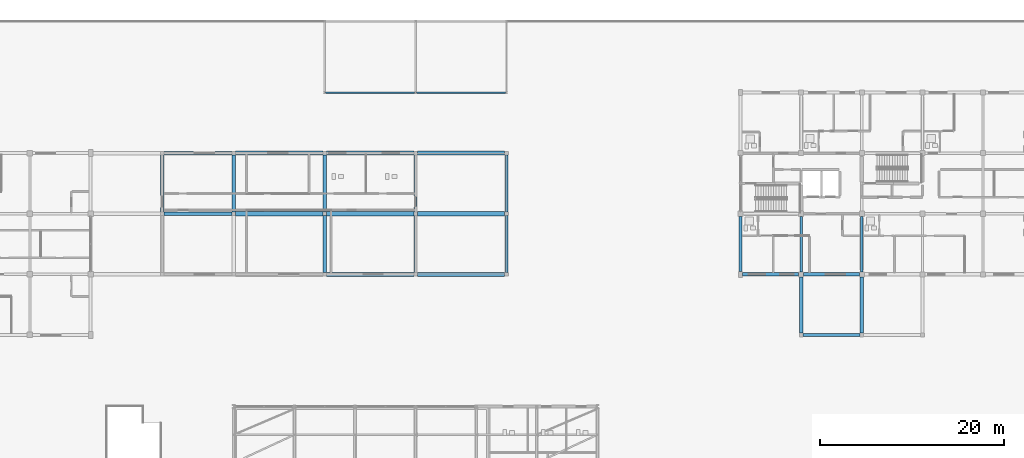
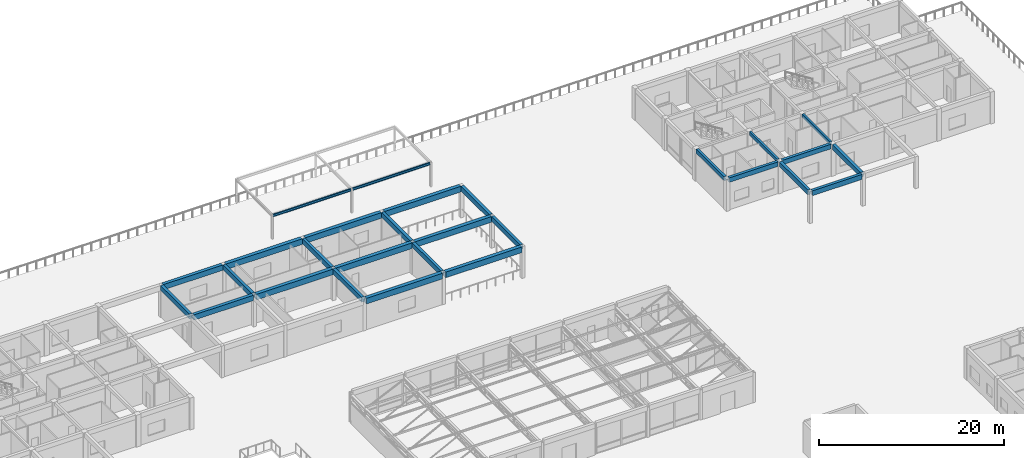
# One storey, part 40 of 92: 28 beams.
"""IFC4 building model written with IfcOpenShell, lengths in metres."""

import ifcopenshell
import ifcopenshell.guid

model = None  # the IFC model being written
_history = None  # IfcOwnerHistory: only IFC2X3 demands one
_inside = {}  # id of a spatial element -> (the spatial element, [elements in it])
_under = {}  # id of a project, library or spatial element -> (it, [spatial elements below it])
_declared = {}  # id of a project -> (the project, [libraries it declares])
_typed = {}  # id of a type object -> (the type object, [elements of that type])
_made_of = {}  # id of a material, layer set ... -> (it, [elements and type objects made of it])


def new_model(schema):
    """Start an empty IFC model of exactly this schema.

    Asked for "IFC4X3", IfcOpenShell would pick the latest addendum, in which some entities
    have other attributes; the version numbers below select the first issue.
    IFC2X3 requires an IfcOwnerHistory on every rooted entity: one is made here for all.
    """
    global model, _history
    if schema == "IFC4X3":
        model = ifcopenshell.file(schema_version=(4, 3, 0, 0))
    else:
        model = ifcopenshell.file(schema=schema)
    _inside.clear()
    _under.clear()
    _declared.clear()
    _typed.clear()
    _made_of.clear()
    _history = None
    if model.schema == "IFC2X3":
        org = make("IfcOrganization", Name="unknown")
        user = make(
            "IfcPersonAndOrganization",
            ThePerson=make("IfcPerson", FamilyName="unknown"),
            TheOrganization=org,
        )
        app = make(
            "IfcApplication",
            ApplicationDeveloper=org,
            Version="unknown",
            ApplicationFullName="unknown",
            ApplicationIdentifier="unknown",
        )
        _history = make(
            "IfcOwnerHistory",
            OwningUser=user,
            OwningApplication=app,
            ChangeAction="ADDED",
            CreationDate=0,
        )
    return model


def make(cls, **values):
    """One entity of the class cls with the attributes given. An attribute that is None is left unset."""
    return model.create_entity(
        cls, **{name: value for name, value in values.items() if value is not None}
    )


def rooted(cls, **values):
    """An entity with a GlobalId (a new one), such as an element, a storey or a relation."""
    return make(cls, GlobalId=ifcopenshell.guid.new(), OwnerHistory=_history, **values)


def si_unit(unit_type, name, prefix=None):
    """IfcSIUnit, for example si_unit("LENGTHUNIT", "METRE", prefix="MILLI")."""
    return make("IfcSIUnit", UnitType=unit_type, Prefix=prefix, Name=name)


def assignment(units):
    """IfcUnitAssignment: the units of a project."""
    return None if units is None else make("IfcUnitAssignment", Units=units)


def point(xyz):
    """IfcCartesianPoint."""
    return None if xyz is None else make("IfcCartesianPoint", Coordinates=xyz)


def direction(xyz):
    """IfcDirection."""
    return None if xyz is None else make("IfcDirection", DirectionRatios=xyz)


def frame(location, z_axis=None, x_axis=None):
    """IfcAxis2Placement3D, a coordinate frame: its origin and axes. An axis left out is left unset."""
    return make(
        "IfcAxis2Placement3D",
        Location=point(location),
        Axis=direction(z_axis),
        RefDirection=direction(x_axis),
    )


def frame_2d(location, x_axis=None):
    """IfcAxis2Placement2D, a coordinate frame in the plane: its origin and x axis."""
    return make(
        "IfcAxis2Placement2D", Location=point(location), RefDirection=direction(x_axis)
    )


def origin():
    """The frame at (0, 0, 0) with its axes left unset."""
    return frame((0.0, 0.0, 0.0))


def origin_2d():
    """The frame at (0, 0) in the plane with its x axis left unset."""
    return frame_2d((0.0, 0.0))


def place(relative_to, where):
    """IfcLocalPlacement: puts the frame where relative to a parent placement (None: the world)."""
    return make(
        "IfcLocalPlacement", PlacementRelTo=relative_to, RelativePlacement=where
    )


def context(
    kind, dimensions, precision=None, world=None, true_north=None, identifier=None
):
    """IfcGeometricRepresentationContext, for example the 3D "Model" context."""
    return make(
        "IfcGeometricRepresentationContext",
        ContextIdentifier=identifier,
        ContextType=kind,
        CoordinateSpaceDimension=dimensions,
        Precision=precision,
        WorldCoordinateSystem=world,
        TrueNorth=true_north,
    )


def subcontext(parent, identifier, kind, view, scale=None):
    """IfcGeometricRepresentationSubContext, for example "Body" below "Model"."""
    return make(
        "IfcGeometricRepresentationSubContext",
        ContextIdentifier=identifier,
        ContextType=kind,
        ParentContext=parent,
        TargetScale=scale,
        TargetView=view,
    )


def project(units=None, contexts=None):
    """IfcProject with its units and contexts."""
    return rooted(
        "IfcProject",
        Name="project",
        RepresentationContexts=contexts,
        UnitsInContext=assignment(units),
    )


def spatial(cls, under=None, at=None, **own):
    """A site, building, storey or space (cls), placed at a placement, below another one or the project."""
    s = rooted(cls, ObjectPlacement=at, **own)
    if under is not None:
        _under.setdefault(under.id(), (under, []))[1].append(s)
    return s


def profile(cls, at=None, kind="AREA", **sizes):
    """A parametric profile (cls). Its sizes go by their IFC names, for example OverallWidth=200.0."""
    return make(cls, ProfileType=kind, Position=at, **sizes)


def rectangle(**sizes):
    """IfcRectangleProfileDef."""
    return profile("IfcRectangleProfileDef", **sizes)


def i_section(**sizes):
    """IfcIShapeProfileDef."""
    return profile("IfcIShapeProfileDef", **sizes)


def extrude(swept, where, along, depth):
    """IfcExtrudedAreaSolid: the profile swept, set in the frame where, extruded along a direction by depth."""
    return make(
        "IfcExtrudedAreaSolid",
        SweptArea=swept,
        Position=where,
        ExtrudedDirection=direction(along),
        Depth=depth,
    )


def shape(context_of_items, identifier, shape_type, items):
    """IfcShapeRepresentation: the items that make up one representation, for example the "Body"."""
    return make(
        "IfcShapeRepresentation",
        ContextOfItems=context_of_items,
        RepresentationIdentifier=identifier,
        RepresentationType=shape_type,
        Items=items,
    )


def material(Name=None, Category=None):
    """IfcMaterial."""
    return make("IfcMaterial", Name=Name, Category=Category)


def material_profile(
    of_material, cross_section, Name=None, Category=None, Priority=None
):
    """IfcMaterialProfile: a cross section and its material."""
    return make(
        "IfcMaterialProfile",
        Name=Name,
        Material=of_material,
        Profile=cross_section,
        Priority=Priority,
        Category=Category,
    )


def profile_set(profiles, Name=None, composite=None):
    """IfcMaterialProfileSet."""
    return make(
        "IfcMaterialProfileSet",
        Name=Name,
        MaterialProfiles=profiles,
        CompositeProfile=composite,
    )


def made_of(thing, what):
    """Note that an element or type object is made of a material, layer set ...; save() writes the relation."""
    if what is not None:
        _made_of.setdefault(what.id(), (what, []))[1].append(thing)
    return thing


def type_object(cls, material=None, **own):
    """A type object (cls), such as IfcWallType, which elements share."""
    return made_of(rooted(cls, **own), material)


def element(
    cls,
    number,
    at=None,
    inside=None,
    cuts=None,
    type_object=None,
    material=None,
    context=None,
    identifier="Body",
    shape_type=None,
    held_by="IfcProductDefinitionShape",
    body=None,
    shapes=None,
    **own,
):
    """One element of the class cls, such as IfcWall. Its Tag is "e" and its number.

    at: its placement. inside: the storey or other place that contains it. cuts: it is an
    opening in that element (IfcRelVoidsElement). A single representation is given by context,
    identifier, shape_type and body (its items); several are given by shapes. held_by: the class
    of the entity that holds the representations. save() writes the other relations.
    """
    e = rooted(cls, Tag="e%d" % number, ObjectPlacement=at, **own)
    if body is not None:
        shapes = [shape(context, identifier, shape_type, body)]
    if shapes is not None:
        e.Representation = make(held_by, Representations=shapes)
    if inside is not None:
        _inside.setdefault(inside.id(), (inside, []))[1].append(e)
    if cuts is not None:
        rooted(
            "IfcRelVoidsElement", RelatingBuildingElement=cuts, RelatedOpeningElement=e
        )
    if type_object is not None:
        _typed.setdefault(type_object.id(), (type_object, []))[1].append(e)
    return made_of(e, material)


def aggregate(whole, parts):
    """IfcRelAggregates: a whole, such as a stair, and the parts it consists of."""
    return rooted("IfcRelAggregates", RelatingObject=whole, RelatedObjects=parts)


def save(model, path):
    """Write the relations noted so far, then the file.

    IfcRelAggregates (storeys below a building ...), IfcRelContainedInSpatialStructure (elements
    in a storey), IfcRelDefinesByType, IfcRelAssociatesMaterial and IfcRelDeclares: one each for
    every whole, place, type object, material and project.
    """
    for whole, parts in _under.values():
        aggregate(whole, parts)
    for where, things in _inside.values():
        rooted(
            "IfcRelContainedInSpatialStructure",
            RelatedElements=things,
            RelatingStructure=where,
        )
    for kind, things in _typed.values():
        rooted("IfcRelDefinesByType", RelatedObjects=things, RelatingType=kind)
    for what, things in _made_of.values():
        rooted("IfcRelAssociatesMaterial", RelatedObjects=things, RelatingMaterial=what)
    for by, libraries in _declared.values():
        rooted("IfcRelDeclares", RelatingContext=by, RelatedDefinitions=libraries)
    model.write(path)


model = new_model("IFC4")

# Units and contexts
model_context = context("Model", 3, precision=1e-05, world=origin(), true_north=direction((0.0, 1.0)))
body_context = subcontext(model_context, "Body", "Model", "MODEL_VIEW")
ifc_project = project(units=[si_unit("LENGTHUNIT", "METRE"), si_unit("AREAUNIT", "SQUARE_METRE"), si_unit("VOLUMEUNIT", "CUBIC_METRE"), si_unit("PLANEANGLEUNIT", "RADIAN"), si_unit("MASSUNIT", "GRAM", prefix="KILO")], contexts=[model_context])

# Site, building, storey
site_placement = place(None, origin())
site = spatial("IfcSite", under=ifc_project, at=site_placement, CompositionType="ELEMENT")
building_placement = place(site_placement, origin())
building = spatial("IfcBuilding", under=site, at=building_placement, Name="Kernevlak Ridge Housing Community", CompositionType="ELEMENT")
storey_placement = place(building_placement, frame((0.0, 0.0, 4.199951171875)))
storey = spatial("IfcBuildingStorey", under=building, at=storey_placement, Name="L01", CompositionType="ELEMENT", Elevation=4.199951171875)

# Beams
ifc_material_1 = material(Name="Concrete C35/45", Category="concrete")
ifc_material_profile_1 = material_profile(ifc_material_1, rectangle(XDim=0.39990234375, YDim=0.699951171875, at=origin_2d()), Name="RC 400x700")
ifc_profile_set_1 = profile_set([ifc_material_profile_1], Name="Concrete C35/45")
beam_type_1 = type_object("IfcBeamType", Name="B-01", PredefinedType="BEAM", material=ifc_profile_set_1)
for number, where, z_axis, x_axis, name in (
    (1, (56.60009765625, 89.199951171875, 3.85009765625), (1.0, 0.0, 0.0), (0.0, 1.0, 0.0), "Beam B-01 L01 2429"),
    (2, (56.60009765625, 95.800048828125, 3.85009765625), (1.0, 0.0, 0.0), (0.0, 1.0, 0.0), "Beam B-01 L01 2434"),
):
    element("IfcBeam", number, at=place(storey_placement, frame(where, z_axis=z_axis, x_axis=x_axis)), inside=storey, type_object=beam_type_1, Name=name, PredefinedType="BEAM", context=body_context, shape_type="SweptSolid", body=[
        extrude(rectangle(XDim=0.39990234375, YDim=0.699951171875, at=origin_2d()), origin(), (0.0, 0.0, 1.0), 7.39990234375),
    ])
ifc_material_profile_2 = material_profile(ifc_material_1, rectangle(XDim=0.35009765625, YDim=0.64990234375, at=origin_2d()), Name="RC 350x650")
ifc_profile_set_2 = profile_set([ifc_material_profile_2], Name="Concrete C35/45")
beam_type_2 = type_object("IfcBeamType", Name="B-02", PredefinedType="BEAM", material=ifc_profile_set_2)
beam_1_placement = place(storey_placement, frame((126.199951171875, 76.0, 3.875), z_axis=(1.0, 0.0, 0.0), x_axis=(0.0, 1.0, 0.0)))
element("IfcBeam", 3, at=beam_1_placement, inside=storey, type_object=beam_type_2, Name="Beam B-02 L01 2421", PredefinedType="BEAM", context=body_context, shape_type="SweptSolid", body=[
    extrude(rectangle(XDim=0.35009765625, YDim=0.64990234375, at=origin_2d()), origin(), (0.0, 0.0, 1.0), 6.199951171875),
])
for number, where, z_axis, x_axis, name in (
    (4, (56.39990234375, 89.39990234375, 3.875), (0.0, 1.0, 0.0), (-1.0, 0.0, 0.0), "Beam B-02 L01 2445"),
    (5, (64.199951171875, 89.39990234375, 3.875), (0.0, 1.0, 0.0), (-1.0, 0.0, 0.0), "Beam B-02 L01 2447"),
):
    element("IfcBeam", number, at=place(storey_placement, frame(where, z_axis=z_axis, x_axis=x_axis)), inside=storey, type_object=beam_type_2, Name=name, PredefinedType="BEAM", context=body_context, shape_type="SweptSolid", body=[
        extrude(rectangle(XDim=0.35009765625, YDim=0.64990234375, at=origin_2d()), origin(), (0.0, 0.0, 1.0), 6.2001953125),
    ])
beam_2_placement = place(storey_placement, frame((74.10009765625, 82.800048828125, 3.875), z_axis=(0.0, 1.0, 0.0), x_axis=(-1.0, 0.0, 0.0)))
element("IfcBeam", 6, at=beam_2_placement, inside=storey, type_object=beam_type_2, Name="Beam B-02 L01 2448", PredefinedType="BEAM", context=body_context, shape_type="SweptSolid", body=[
    extrude(rectangle(XDim=0.35009765625, YDim=0.64990234375, at=origin_2d()), origin(), (0.0, 0.0, 1.0), 6.199951171875),
])
beam_3_placement = place(storey_placement, frame((74.10009765625, 89.39990234375, 3.875), z_axis=(0.0, 1.0, 0.0), x_axis=(-1.0, 0.0, 0.0)))
element("IfcBeam", 7, at=beam_3_placement, inside=storey, type_object=beam_type_2, Name="Beam B-02 L01 2449", PredefinedType="BEAM", context=body_context, shape_type="SweptSolid", body=[
    extrude(rectangle(XDim=0.35009765625, YDim=0.64990234375, at=origin_2d()), origin(), (0.0, 0.0, 1.0), 6.2001953125),
])
beam_4_placement = place(storey_placement, frame((84.0, 82.800048828125, 3.875), z_axis=(0.0, 1.0, 0.0), x_axis=(-1.0, 0.0, 0.0)))
element("IfcBeam", 8, at=beam_4_placement, inside=storey, type_object=beam_type_2, Name="Beam B-02 L01 2450", PredefinedType="BEAM", context=body_context, shape_type="SweptSolid", body=[
    extrude(rectangle(XDim=0.35009765625, YDim=0.64990234375, at=origin_2d()), origin(), (0.0, 0.0, 1.0), 6.199951171875),
])
beam_5_placement = place(storey_placement, frame((84.0, 89.39990234375, 3.875), z_axis=(0.0, 1.0, 0.0), x_axis=(-1.0, 0.0, 0.0)))
element("IfcBeam", 9, at=beam_5_placement, inside=storey, type_object=beam_type_2, Name="Beam B-02 L01 2451", PredefinedType="BEAM", context=body_context, shape_type="SweptSolid", body=[
    extrude(rectangle(XDim=0.35009765625, YDim=0.64990234375, at=origin_2d()), origin(), (0.0, 0.0, 1.0), 6.2001953125),
])
beam_6_placement = place(storey_placement, frame((93.89990234375, 82.800048828125, 3.875), z_axis=(0.0, 1.0, 0.0), x_axis=(-1.0, 0.0, 0.0)))
element("IfcBeam", 10, at=beam_6_placement, inside=storey, type_object=beam_type_2, Name="Beam B-02 L01 2452", PredefinedType="BEAM", context=body_context, shape_type="SweptSolid", body=[
    extrude(rectangle(XDim=0.35009765625, YDim=0.64990234375, at=origin_2d()), origin(), (0.0, 0.0, 1.0), 6.199951171875),
])
beam_7_placement = place(storey_placement, frame((93.89990234375, 89.39990234375, 3.875), z_axis=(0.0, 1.0, 0.0), x_axis=(-1.0, 0.0, 0.0)))
element("IfcBeam", 11, at=beam_7_placement, inside=storey, type_object=beam_type_2, Name="Beam B-02 L01 2453", PredefinedType="BEAM", context=body_context, shape_type="SweptSolid", body=[
    extrude(rectangle(XDim=0.35009765625, YDim=0.64990234375, at=origin_2d()), origin(), (0.0, 0.0, 1.0), 6.2001953125),
])
for number, where, z_axis, x_axis, name in (
    (12, (126.0, 76.199951171875, 3.875), (0.0, 1.0, 0.0), (-1.0, 0.0, 0.0), "Beam B-02 L01 2454"),
    (13, (132.60009765625, 76.199951171875, 3.875), (0.0, 1.0, 0.0), (-1.0, 0.0, 0.0), "Beam B-02 L01 2455"),
):
    element("IfcBeam", number, at=place(storey_placement, frame(where, z_axis=z_axis, x_axis=x_axis)), inside=storey, type_object=beam_type_2, Name=name, PredefinedType="BEAM", context=body_context, shape_type="SweptSolid", body=[
        extrude(rectangle(XDim=0.35009765625, YDim=0.64990234375, at=origin_2d()), origin(), (0.0, 0.0, 1.0), 6.125),
    ])
ifc_material_profile_3 = material_profile(ifc_material_1, rectangle(XDim=0.25, YDim=0.449951171875, at=origin_2d()), Name="RC 250x450")
ifc_profile_set_3 = profile_set([ifc_material_profile_3], Name="Concrete C35/45")
beam_type_3 = type_object("IfcBeamType", Name="B-04", PredefinedType="T_BEAM", material=ifc_profile_set_3)
for number, where, z_axis, x_axis, name in (
    (14, (126.0, 82.875, 3.97509765625), (0.0, 1.0, 0.0), (-1.0, 0.0, 0.0), "Beam B-04 L01 616"),
    (15, (132.60009765625, 82.875, 3.97509765625), (0.0, 1.0, 0.0), (-1.0, 0.0, 0.0), "Beam B-04 L01 618"),
):
    element("IfcBeam", number, at=place(storey_placement, frame(where, z_axis=z_axis, x_axis=x_axis)), inside=storey, type_object=beam_type_3, Name=name, PredefinedType="T_BEAM", context=body_context, shape_type="SweptSolid", body=[
        extrude(rectangle(XDim=0.25, YDim=0.449951171875, at=origin_2d()), origin(), (0.0, 0.0, 1.0), 6.050048828125),
    ])
ifc_material_profile_4 = material_profile(ifc_material_1, rectangle(XDim=0.449951171875, YDim=0.75, at=origin_2d()), Name="RC 450x750")
ifc_profile_set_4 = profile_set([ifc_material_profile_4], Name="Concrete C35/45")
beam_type_4 = type_object("IfcBeamType", Name="B-05", PredefinedType="BEAM", material=ifc_profile_set_4)
for number, where, z_axis, x_axis, name in (
    (16, (74.300048828125, 82.60009765625, 3.824951171875), (1.0, 0.0, 0.0), (0.0, 1.0, 0.0), "Beam B-05 L01 2426"),
    (17, (84.199951171875, 82.60009765625, 3.824951171875), (1.0, 0.0, 0.0), (0.0, 1.0, 0.0), "Beam B-05 L01 2427"),
    (18, (64.39990234375, 89.199951171875, 3.824951171875), (1.0, 0.0, 0.0), (0.0, 1.0, 0.0), "Beam B-05 L01 2430"),
    (19, (74.300048828125, 89.199951171875, 3.824951171875), (1.0, 0.0, 0.0), (0.0, 1.0, 0.0), "Beam B-05 L01 2431"),
    (20, (84.199951171875, 89.199951171875, 3.824951171875), (1.0, 0.0, 0.0), (0.0, 1.0, 0.0), "Beam B-05 L01 2432"),
    (21, (64.39990234375, 95.800048828125, 3.824951171875), (1.0, 0.0, 0.0), (0.0, 1.0, 0.0), "Beam B-05 L01 2435"),
    (22, (74.300048828125, 95.800048828125, 3.824951171875), (1.0, 0.0, 0.0), (0.0, 1.0, 0.0), "Beam B-05 L01 2436"),
    (23, (84.199951171875, 95.800048828125, 3.824951171875), (1.0, 0.0, 0.0), (0.0, 1.0, 0.0), "Beam B-05 L01 2437"),
):
    element("IfcBeam", number, at=place(storey_placement, frame(where, z_axis=z_axis, x_axis=x_axis)), inside=storey, type_object=beam_type_4, Name=name, PredefinedType="BEAM", context=body_context, shape_type="SweptSolid", body=[
        extrude(rectangle(XDim=0.449951171875, YDim=0.75, at=origin_2d()), origin(), (0.0, 0.0, 1.0), 9.5),
    ])
ifc_material_2 = material(Name="Steel S355", Category="steel")
ifc_material_profile_5 = material_profile(ifc_material_2, i_section(OverallWidth=0.159912109375, OverallDepth=0.330078125, WebThickness=0.007568359375, FlangeThickness=0.011474609375, FilletRadius=0.01806640625, at=origin_2d()), Name="IPE 330")
ifc_profile_set_5 = profile_set([ifc_material_profile_5], Name="Steel S355")
beam_type_5 = type_object("IfcBeamType", Name="SB-04", PredefinedType="BEAM", material=ifc_profile_set_5)
for number, where, z_axis, x_axis, name in (
    (24, (74.199951171875, 102.39990234375, 3.054931640625), (1.0, 0.0, 0.0), (0.0, 1.0, 0.0), "Beam SB-04 L01 2465"),
    (25, (84.10009765625, 102.39990234375, 3.054931640625), (1.0, 0.0, 0.0), (0.0, 1.0, 0.0), "Beam SB-04 L01 2466"),
):
    element("IfcBeam", number, at=place(storey_placement, frame(where, z_axis=z_axis, x_axis=x_axis)), inside=storey, type_object=beam_type_5, Name=name, PredefinedType="BEAM", context=body_context, shape_type="SweptSolid", body=[
        extrude(i_section(OverallWidth=0.159912109375, OverallDepth=0.330078125, WebThickness=0.007568359375, FlangeThickness=0.011474609375, FilletRadius=0.01806640625, at=origin_2d()), origin(), (0.0, 0.0, 1.0), 9.699951171875),
    ])
ifc_material_profile_6 = material_profile(ifc_material_1, rectangle(XDim=0.300048828125, YDim=0.550048828125, at=origin_2d()), Name="RC 300x550")
ifc_profile_set_6 = profile_set([ifc_material_profile_6], Name="Concrete C35/45")
beam_type_6 = type_object("IfcBeamType", Name="SP-01", PredefinedType="SPANDREL", material=ifc_profile_set_6)
beam_8_placement = place(storey_placement, frame((119.39990234375, 82.925048828125, 3.925048828125), z_axis=(0.0, 1.0, 0.0), x_axis=(-1.0, 0.0, 0.0)))
element("IfcBeam", 26, at=beam_8_placement, inside=storey, type_object=beam_type_6, Name="Beam SP-01 L01 613", PredefinedType="SPANDREL", context=body_context, shape_type="SweptSolid", body=[
    extrude(rectangle(XDim=0.300048828125, YDim=0.550048828125, at=origin_2d()), origin(), (0.0, 0.0, 1.0), 6.0),
])
ifc_material_profile_7 = material_profile(ifc_material_1, rectangle(XDim=0.35009765625, YDim=0.60009765625, at=origin_2d()), Name="RC 350x600")
ifc_profile_set_7 = profile_set([ifc_material_profile_7], Name="Concrete C35/45")
beam_type_7 = type_object("IfcBeamType", Name="SP-03", PredefinedType="SPANDREL", material=ifc_profile_set_7)
beam_9_placement = place(storey_placement, frame((119.625, 82.60009765625, 3.900146484375), z_axis=(1.0, 0.0, 0.0), x_axis=(0.0, 1.0, 0.0)))
element("IfcBeam", 27, at=beam_9_placement, inside=storey, type_object=beam_type_7, Name="Beam SP-03 L01 593", PredefinedType="SPANDREL", context=body_context, shape_type="SweptSolid", body=[
    extrude(rectangle(XDim=0.35009765625, YDim=0.60009765625, at=origin_2d()), origin(), (0.0, 0.0, 1.0), 6.10009765625),
])
beam_10_placement = place(storey_placement, frame((126.27490234375, 82.60009765625, 3.900146484375), z_axis=(1.0, 0.0, 0.0), x_axis=(0.0, 1.0, 0.0)))
element("IfcBeam", 28, at=beam_10_placement, inside=storey, type_object=beam_type_7, Name="Beam SP-03 L01 594", PredefinedType="SPANDREL", context=body_context, shape_type="SweptSolid", body=[
    extrude(rectangle(XDim=0.35009765625, YDim=0.60009765625, at=origin_2d()), origin(), (0.0, 0.0, 1.0), 6.050048828125),
])

save(model, "model.ifc")
